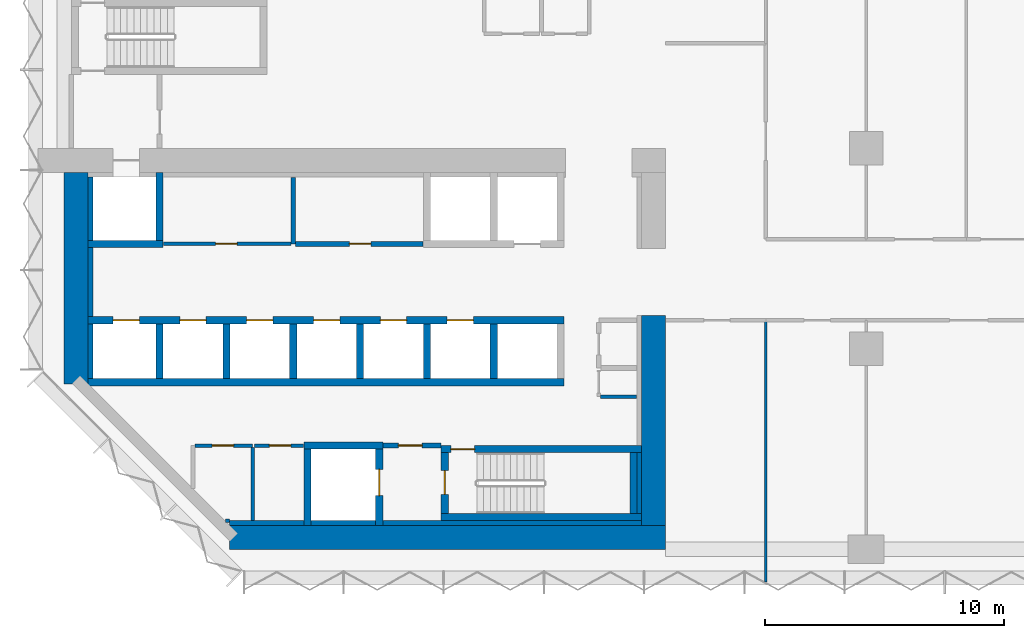
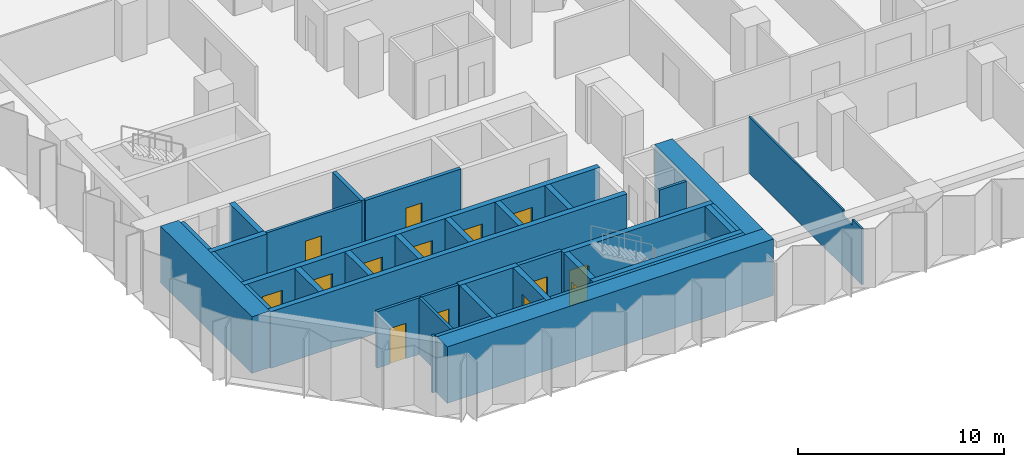
# One storey, part 7 of 15: 37 walls, 14 doors, 14 openings.
"""IFC4 building model written with IfcOpenShell, lengths in metres."""

from ifc_helpers import new_model, si_unit, direction, frame, frame_2d, origin, place, context, subcontext, project, spatial, polyline, rectangle, outline, extrude, material, layer, layer_set, type_object, element, fill, save


model = new_model("IFC4")

# Units and contexts
model_context = context("Model", 3, precision=1e-05, world=origin(), true_north=direction((0.0, 1.0)))
body_context = subcontext(model_context, "Body", "Model", "MODEL_VIEW")
ifc_project = project(units=[si_unit("LENGTHUNIT", "METRE"), si_unit("AREAUNIT", "SQUARE_METRE"), si_unit("VOLUMEUNIT", "CUBIC_METRE"), si_unit("PLANEANGLEUNIT", "RADIAN"), si_unit("MASSUNIT", "GRAM", prefix="KILO")], contexts=[model_context])

# Site, building, storey
site_placement = place(None, origin())
site = spatial("IfcSite", under=ifc_project, at=site_placement, CompositionType="ELEMENT")
building_placement = place(site_placement, origin())
building = spatial("IfcBuilding", under=site, at=building_placement, Name="Brevane Broadcast Tower", CompositionType="ELEMENT")
storey_placement = place(building_placement, frame((0.0, 0.0, 58.10009765625)))
storey = spatial("IfcBuildingStorey", under=building, at=storey_placement, Name="L12", CompositionType="ELEMENT", Elevation=58.10009765625)

# Walls
ifc_material_1 = material(Name="Concrete C32/40", Category="concrete")
ifc_layer_1 = layer(ifc_material_1, 0.199951171875)
ifc_layer_set_1 = layer_set([ifc_layer_1], Name="Core chase wall 200 mm")
wall_type_1 = type_object("IfcWallType", Name="Core chase wall 200 mm", PredefinedType="PARTITIONING", material=ifc_layer_set_1)
wall_1_placement = place(storey_placement, frame((1.10009765625, 7.14990234375, 0.0), z_axis=(0.0, 0.0, 1.0), x_axis=(0.0, 1.0, 0.0)))
element("IfcWall", 1, at=wall_1_placement, inside=storey, type_object=wall_type_1, Name="L12 chase wall LW-2-1", PredefinedType="PARTITIONING", context=body_context, shape_type="SweptSolid", body=[
    extrude(rectangle(XDim=2.300048828125, YDim=0.199951171875, at=frame_2d((1.14990234375, 0.0))), origin(), (0.0, 0.0, 1.0), 3.349853515625),
])
wall_2_placement = place(storey_placement, frame((1.10009765625, 9.75, 0.0), z_axis=(0.0, 0.0, 1.0), x_axis=(0.0, 1.0, 0.0)))
element("IfcWall", 2, at=wall_2_placement, inside=storey, type_object=wall_type_1, Name="L12 chase wall LW-2-2-1", PredefinedType="PARTITIONING", context=body_context, shape_type="SweptSolid", body=[
    extrude(rectangle(XDim=2.89990234375, YDim=0.199951171875, at=frame_2d((1.449951171875, 0.0))), origin(), (0.0, 0.0, 1.0), 3.349853515625),
])
wall_3_placement = place(storey_placement, frame((1.10009765625, 12.949951171875, 0.0), z_axis=(0.0, 0.0, 1.0), x_axis=(0.0, 1.0, 0.0)))
element("IfcWall", 3, at=wall_3_placement, inside=storey, type_object=wall_type_1, Name="L12 chase wall LW-2-2-2", PredefinedType="PARTITIONING", context=body_context, shape_type="SweptSolid", body=[
    extrude(rectangle(XDim=2.650146484375, YDim=0.199951171875, at=frame_2d((1.3251953125, 0.0))), origin(), (0.0, 0.0, 1.0), 3.349853515625),
])
wall_4_placement = place(storey_placement, frame((6.936279296875, 1.10009765625, 0.0), z_axis=(0.0, 0.0, 1.0), x_axis=(1.0, 0.0, 0.0)))
element("IfcWall", 4, at=wall_4_placement, inside=storey, type_object=wall_type_1, Name="L12 chase wall LS-1", PredefinedType="PARTITIONING", context=body_context, shape_type="SweptSolid", body=[
    extrude(rectangle(XDim=3.11376953125, YDim=0.199951171875, at=frame_2d((1.556884765625, 0.0))), origin(), (0.0, 0.0, 1.0), 3.349853515625),
])
wall_5_placement = place(storey_placement, frame((10.35009765625, 1.10009765625, 0.0), z_axis=(0.0, 0.0, 1.0), x_axis=(1.0, 0.0, 0.0)))
element("IfcWall", 5, at=wall_5_placement, inside=storey, type_object=wall_type_1, Name="L12 chase wall LS-2-1", PredefinedType="PARTITIONING", context=body_context, shape_type="SweptSolid", body=[
    extrude(rectangle(XDim=2.699951171875, YDim=0.199951171875, at=frame_2d((1.35009765625, 0.0))), origin(), (0.0, 0.0, 1.0), 3.349853515625),
])
wall_6_placement = place(storey_placement, frame((13.35009765625, 1.10009765625, 0.0), z_axis=(0.0, 0.0, 1.0), x_axis=(1.0, 0.0, 0.0)))
element("IfcWall", 6, at=wall_6_placement, inside=storey, type_object=wall_type_1, Name="L12 chase wall LS-2-2", PredefinedType="PARTITIONING", context=body_context, shape_type="SweptSolid", body=[
    extrude(rectangle(XDim=10.849853515625, YDim=0.199951171875, at=frame_2d((5.4248046875, 0.0))), origin(), (0.0, 0.0, 1.0), 3.349853515625),
])
wall_7_placement = place(storey_placement, frame((24.10009765625, 1.5, 0.0), z_axis=(0.0, 0.0, 1.0), x_axis=(0.0, 1.0, 0.0)))
element("IfcWall", 7, at=wall_7_placement, inside=storey, type_object=wall_type_1, Name="L12 chase wall LE1-2-1", PredefinedType="PARTITIONING", context=body_context, shape_type="SweptSolid", body=[
    extrude(rectangle(XDim=2.550048828125, YDim=0.199951171875, at=frame_2d((1.27490234375, 0.0))), origin(), (0.0, 0.0, 1.0), 3.349853515625),
])

# Wall, opening, door
ifc_material_2 = material(Name="Gypsum board on steel studs", Category="steel")
ifc_layer_2 = layer(ifc_material_2, 0.14990234375)
ifc_layer_set_2 = layer_set([ifc_layer_2], Name="Core fire partition 150 mm")
wall_type_2 = type_object("IfcWallType", Name="Core fire partition 150 mm", PredefinedType="PARTITIONING", material=ifc_layer_set_2)
wall_8_placement = place(storey_placement, frame((4.162109375, 12.800048828125, 0.0), z_axis=(0.0, 0.0, 1.0), x_axis=(1.0, 0.0, 0.0)))
wall_8 = element("IfcWall", 8, at=wall_8_placement, inside=storey, type_object=wall_type_2, Name="L12 partition wall P09", PredefinedType="PARTITIONING", context=body_context, shape_type="SweptSolid", body=[
    extrude(rectangle(XDim=5.337890625, YDim=0.14990234375, at=frame_2d((2.6689453125, 0.0))), origin(), (0.0, 0.0, 1.0), 3.349853515625),
])
opening_1_placement = place(wall_8_placement, frame((2.18798828125, 0.0, 0.0)))
opening_1 = element("IfcOpeningElement", 9, at=opening_1_placement, cuts=wall_8, Name="Opening L12-K21", PredefinedType="OPENING", context=body_context, shape_type="SweptSolid", body=[
    extrude(rectangle(XDim=0.89990234375, YDim=2.10009765625, at=frame_2d((0.449951171875, 1.050048828125))), frame((0.0, 0.0849609375, 0.0), z_axis=(0.0, -1.0, 0.0), x_axis=(1.0, 0.0, 0.0)), (0.0, 0.0, 1.0), 0.169921875),
])
ifc_material_3 = material(Name="Steel", Category="steel")
door_type_1 = type_object("IfcDoorType", Name="Service room door 900 x 2100", OperationType="SINGLE_SWING_LEFT", PredefinedType="DOOR", material=ifc_material_3)
door_1_placement = place(opening_1_placement, origin())
door_1 = element("IfcDoor", 10, at=door_1_placement, inside=storey, type_object=door_type_1, Name="Door L12-K21", OperationType="SINGLE_SWING_RIGHT", OverallHeight=2.10009765625, OverallWidth=0.89990234375, PredefinedType="DOOR", context=body_context, shape_type="SweptSolid", body=[
    extrude(rectangle(XDim=0.89990234375, YDim=2.10009765625, at=frame_2d((0.449951171875, 1.050048828125))), frame((0.0, 0.02490234375, 0.0), z_axis=(0.0, -1.0, 0.0), x_axis=(1.0, 0.0, 0.0)), (0.0, 0.0, 1.0), 0.050048828125),
])
fill(opening_1, door_1)

wall_9_placement = place(storey_placement, frame((5.47509765625, 4.35009765625, 0.0), z_axis=(0.0, 0.0, 1.0), x_axis=(1.0, 0.0, 0.0)))
wall_9 = element("IfcWall", 11, at=wall_9_placement, inside=storey, type_object=wall_type_2, Name="L12 partition wall P11", PredefinedType="PARTITIONING", context=body_context, shape_type="SweptSolid", body=[
    extrude(rectangle(XDim=2.4248046875, YDim=0.14990234375, at=frame_2d((1.21240234375, 0.0))), origin(), (0.0, 0.0, 1.0), 3.349853515625),
])
opening_2_placement = place(wall_9_placement, frame((0.72509765625, 0.0, 0.0)))
opening_2 = element("IfcOpeningElement", 12, at=opening_2_placement, cuts=wall_9, Name="Opening L12-K16", PredefinedType="OPENING", context=body_context, shape_type="SweptSolid", body=[
    extrude(rectangle(XDim=0.89990234375, YDim=2.10009765625, at=frame_2d((0.449951171875, 1.050048828125))), frame((0.0, 0.0849609375, 0.0), z_axis=(0.0, -1.0, 0.0), x_axis=(1.0, 0.0, 0.0)), (0.0, 0.0, 1.0), 0.169921875),
])
ifc_material_4 = material(Name="Timber", Category="wood")
door_type_2 = type_object("IfcDoorType", Name="Toilet door 900 x 2100", OperationType="SINGLE_SWING_LEFT", PredefinedType="DOOR", material=ifc_material_4)
door_2_placement = place(opening_2_placement, origin())
door_2 = element("IfcDoor", 13, at=door_2_placement, inside=storey, type_object=door_type_2, Name="Door L12-K16", OperationType="SINGLE_SWING_LEFT", OverallHeight=2.10009765625, OverallWidth=0.89990234375, PredefinedType="DOOR", context=body_context, shape_type="SweptSolid", body=[
    extrude(rectangle(XDim=0.89990234375, YDim=2.10009765625, at=frame_2d((0.449951171875, 1.050048828125))), frame((0.0, 0.02490234375, 0.0), z_axis=(0.0, -1.0, 0.0), x_axis=(1.0, 0.0, 0.0)), (0.0, 0.0, 1.0), 0.050048828125),
])
fill(opening_2, door_2)

# Walls
wall_10_placement = place(storey_placement, frame((7.89990234375, 4.27490234375, 0.0), z_axis=(0.0, 0.0, 1.0), x_axis=(0.0, -1.0, 0.0)))
element("IfcWall", 14, at=wall_10_placement, inside=storey, type_object=wall_type_2, Name="L12 partition wall P12", PredefinedType="PARTITIONING", context=body_context, shape_type="SweptSolid", body=[
    extrude(rectangle(XDim=3.06298828125, YDim=0.14990234375, at=frame_2d((1.531494140625, 0.0))), origin(), (0.0, 0.0, 1.0), 3.349853515625),
])
wall_11_placement = place(storey_placement, frame((6.92431640625, 1.199951171875, 0.0), z_axis=(0.0, 0.0, 1.0), x_axis=(-1.0, 0.0, 0.0)))
element("IfcWall", 15, at=wall_11_placement, inside=storey, type_object=wall_type_2, Name="L12 partition wall P13", PredefinedType="PARTITIONING", context=body_context, shape_type="SweptSolid", body=[
    extrude(rectangle(XDim=0.1708984375, YDim=0.14990234375, at=frame_2d((0.08544921875, 0.0))), origin(), (0.0, 0.0, 1.0), 3.349853515625),
])

# Wall, opening, door
wall_12_placement = place(storey_placement, frame((10.0380859375, 4.35009765625, 0.0), z_axis=(0.0, 0.0, 1.0), x_axis=(-1.0, 0.0, 0.0)))
wall_12 = element("IfcWall", 16, at=wall_12_placement, inside=storey, type_object=wall_type_2, Name="L12 partition wall P14", PredefinedType="PARTITIONING", context=body_context, shape_type="SweptSolid", body=[
    extrude(rectangle(XDim=2.06298828125, YDim=0.14990234375, at=frame_2d((1.031494140625, 0.0))), origin(), (0.0, 0.0, 1.0), 3.349853515625),
])
opening_3_placement = place(wall_12_placement, frame((0.5380859375, 0.0, 0.0)))
opening_3 = element("IfcOpeningElement", 17, at=opening_3_placement, cuts=wall_12, Name="Opening L12-K17", PredefinedType="OPENING", context=body_context, shape_type="SweptSolid", body=[
    extrude(rectangle(XDim=0.89990234375, YDim=2.10009765625, at=frame_2d((0.449951171875, 1.050048828125))), frame((0.0, 0.0849609375, 0.0), z_axis=(0.0, -1.0, 0.0), x_axis=(1.0, 0.0, 0.0)), (0.0, 0.0, 1.0), 0.169921875),
])
door_3_placement = place(opening_3_placement, origin())
door_3 = element("IfcDoor", 18, at=door_3_placement, inside=storey, type_object=door_type_2, Name="Door L12-K17", OperationType="SINGLE_SWING_RIGHT", OverallHeight=2.10009765625, OverallWidth=0.89990234375, PredefinedType="DOOR", context=body_context, shape_type="SweptSolid", body=[
    extrude(rectangle(XDim=0.89990234375, YDim=2.10009765625, at=frame_2d((0.449951171875, 1.050048828125))), frame((0.0, 0.02490234375, 0.0), z_axis=(0.0, -1.0, 0.0), x_axis=(1.0, 0.0, 0.0)), (0.0, 0.0, 1.0), 0.050048828125),
])
fill(opening_3, door_3)

# Wall
wall_13_placement = place(storey_placement, frame((22.47509765625, 6.39990234375, 0.0), z_axis=(0.0, 0.0, 1.0), x_axis=(1.0, 0.0, 0.0)))
element("IfcWall", 19, at=wall_13_placement, inside=storey, type_object=wall_type_2, Name="L12 partition wall P23", PredefinedType="PARTITIONING", context=body_context, shape_type="SweptSolid", body=[
    extrude(rectangle(XDim=1.512939453125, YDim=0.14990234375, at=frame_2d((0.75634765625, 0.0))), origin(), (0.0, 0.0, 1.0), 3.349853515625),
])

# Wall, opening, door
ifc_layer_3 = layer(ifc_material_2, 0.199951171875)
ifc_layer_set_3 = layer_set([ifc_layer_3], Name="Core fire partition 200 mm")
wall_type_3 = type_object("IfcWallType", Name="Core fire partition 200 mm", PredefinedType="PARTITIONING", material=ifc_layer_set_3)
wall_14_placement = place(storey_placement, frame((13.362060546875, 4.35009765625, 0.0), z_axis=(0.0, 0.0, 1.0), x_axis=(1.0, 0.0, 0.0)))
wall_14 = element("IfcWall", 20, at=wall_14_placement, inside=storey, type_object=wall_type_3, Name="L12 partition wall P03", PredefinedType="PARTITIONING", context=body_context, shape_type="SweptSolid", body=[
    extrude(rectangle(XDim=2.426025390625, YDim=0.199951171875, at=frame_2d((1.212890625, 0.0))), origin(), (0.0, 0.0, 1.0), 3.349853515625),
])
opening_4_placement = place(wall_14_placement, frame((0.637939453125, 0.0, 0.0)))
opening_4 = element("IfcOpeningElement", 21, at=opening_4_placement, cuts=wall_14, Name="Opening L12-K18", PredefinedType="OPENING", context=body_context, shape_type="SweptSolid", body=[
    extrude(rectangle(XDim=1.0, YDim=2.10009765625, at=frame_2d((0.5, 1.050048828125))), frame((0.0, 0.10986328125, 0.0), z_axis=(0.0, -1.0, 0.0), x_axis=(1.0, 0.0, 0.0)), (0.0, 0.0, 1.0), 0.219970703125),
])
door_type_3 = type_object("IfcDoorType", Name="Stair door 1000 x 2100", OperationType="SINGLE_SWING_LEFT", PredefinedType="DOOR", material=ifc_material_3)
door_4_placement = place(opening_4_placement, origin())
door_4 = element("IfcDoor", 22, at=door_4_placement, inside=storey, type_object=door_type_3, Name="Door L12-K18", OperationType="SINGLE_SWING_LEFT", OverallHeight=2.10009765625, OverallWidth=1.0, PredefinedType="DOOR", context=body_context, shape_type="SweptSolid", body=[
    extrude(rectangle(XDim=1.0, YDim=2.10009765625, at=frame_2d((0.5, 1.050048828125))), frame((0.0, 0.02490234375, 0.0), z_axis=(0.0, -1.0, 0.0), x_axis=(1.0, 0.0, 0.0)), (0.0, 0.0, 1.0), 0.050048828125),
])
fill(opening_4, door_4)

# Wall
wall_15_placement = place(storey_placement, frame((9.60009765625, 15.587890625, 0.0), z_axis=(0.0, 0.0, 1.0), x_axis=(0.0, -1.0, 0.0)))
element("IfcWall", 23, at=wall_15_placement, inside=storey, type_object=wall_type_3, Name="L12 partition wall P04", PredefinedType="PARTITIONING", context=body_context, shape_type="SweptSolid", body=[
    extrude(rectangle(XDim=2.787841796875, YDim=0.199951171875, at=frame_2d((1.39404296875, 0.0))), origin(), (0.0, 0.0, 1.0), 3.349853515625),
])

# Wall, opening, door
wall_16_placement = place(storey_placement, frame((9.699951171875, 12.800048828125, 0.0), z_axis=(0.0, 0.0, 1.0), x_axis=(1.0, 0.0, 0.0)))
wall_16 = element("IfcWall", 24, at=wall_16_placement, inside=storey, type_object=wall_type_3, Name="L12 partition wall P05", PredefinedType="PARTITIONING", context=body_context, shape_type="SweptSolid", body=[
    extrude(rectangle(XDim=5.338134765625, YDim=0.199951171875, at=frame_2d((2.6689453125, 0.0))), origin(), (0.0, 0.0, 1.0), 3.349853515625),
])
opening_5_placement = place(wall_16_placement, frame((2.25, 0.0, 0.0)))
opening_5 = element("IfcOpeningElement", 25, at=opening_5_placement, cuts=wall_16, Name="Opening L12-K22", PredefinedType="OPENING", context=body_context, shape_type="SweptSolid", body=[
    extrude(rectangle(XDim=0.89990234375, YDim=2.10009765625, at=frame_2d((0.449951171875, 1.050048828125))), frame((0.0, 0.10986328125, 0.0), z_axis=(0.0, -1.0, 0.0), x_axis=(1.0, 0.0, 0.0)), (0.0, 0.0, 1.0), 0.219970703125),
])
door_5_placement = place(opening_5_placement, origin())
door_5 = element("IfcDoor", 26, at=door_5_placement, inside=storey, type_object=door_type_1, Name="Door L12-K22", OperationType="SINGLE_SWING_LEFT", OverallHeight=2.10009765625, OverallWidth=0.89990234375, PredefinedType="DOOR", context=body_context, shape_type="SweptSolid", body=[
    extrude(rectangle(XDim=0.89990234375, YDim=2.10009765625, at=frame_2d((0.449951171875, 1.050048828125))), frame((0.0, 0.02490234375, 0.0), z_axis=(0.0, -1.0, 0.0), x_axis=(1.0, 0.0, 0.0)), (0.0, 0.0, 1.0), 0.050048828125),
])
fill(opening_5, door_5)

# Walls
ifc_material_5 = material(Name="Concrete C80/95", Category="concrete")
ifc_layer_4 = layer(ifc_material_5, 1.0)
ifc_layer_set_4 = layer_set([ifc_layer_4], Name="Core wall 1000 mm C80/95")
wall_type_4 = type_object("IfcWallType", Name="Core wall 1000 mm C80/95", PredefinedType="SHEAR", material=ifc_layer_set_4)
wall_17_placement = place(storey_placement, frame((6.936279296875, 0.5, 0.0), z_axis=(0.0, 0.0, 1.0), x_axis=(1.0, 0.0, 0.0)))
element("IfcWall", 27, at=wall_17_placement, inside=storey, type_object=wall_type_4, Name="L12 outer wall WS", PredefinedType="SHEAR", context=body_context, shape_type="SweptSolid", body=[
    extrude(rectangle(XDim=18.263671875, YDim=1.0, at=frame_2d((9.1318359375, 0.0))), origin(), (0.0, 0.0, 1.0), 3.349853515625),
])
wall_18_placement = place(storey_placement, frame((0.5, 6.936279296875, 0.0), z_axis=(0.0, 0.0, 1.0), x_axis=(0.0, 1.0, 0.0)))
element("IfcWall", 28, at=wall_18_placement, inside=storey, type_object=wall_type_4, Name="L12 outer wall WW", PredefinedType="SHEAR", context=body_context, shape_type="SweptSolid", body=[
    extrude(rectangle(XDim=8.86376953125, YDim=1.0, at=frame_2d((4.431884765625, 0.0))), origin(), (0.0, 0.0, 1.0), 3.349853515625),
])
wall_19_placement = place(storey_placement, frame((24.699951171875, 1.0, 0.0), z_axis=(0.0, 0.0, 1.0), x_axis=(0.0, 1.0, 0.0)))
element("IfcWall", 29, at=wall_19_placement, inside=storey, type_object=wall_type_4, Name="L12 outer wall WE1", PredefinedType="SHEAR", context=body_context, shape_type="SweptSolid", body=[
    extrude(rectangle(XDim=8.800048828125, YDim=1.0, at=frame_2d((4.39990234375, 0.0))), origin(), (0.0, 0.0, 1.0), 3.349853515625),
])
ifc_layer_5 = layer(ifc_material_5, 0.300048828125)
ifc_layer_set_5 = layer_set([ifc_layer_5], Name="Core wall 300 mm C80/95")
wall_type_5 = type_object("IfcWallType", Name="Core wall 300 mm C80/95", PredefinedType="SHEAR", material=ifc_layer_set_5)
wall_20_placement = place(storey_placement, frame((1.0, 7.0, 0.0), z_axis=(0.0, 0.0, 1.0), x_axis=(1.0, 0.0, 0.0)))
element("IfcWall", 30, at=wall_20_placement, inside=storey, type_object=wall_type_5, Name="L12 shaft wall SH-S012-back", PredefinedType="SHEAR", context=body_context, shape_type="SweptSolid", body=[
    extrude(rectangle(XDim=19.949951171875, YDim=0.300048828125, at=frame_2d((9.97509765625, 0.0))), origin(), (0.0, 0.0, 1.0), 3.349853515625),
])

# Wall, openings, doors
wall_21_placement = place(storey_placement, frame((1.0, 9.60009765625, 0.0), z_axis=(0.0, 0.0, 1.0), x_axis=(1.0, 0.0, 0.0)))
wall_21 = element("IfcWall", 31, at=wall_21_placement, inside=storey, type_object=wall_type_5, Name="L12 shaft wall SH-S012-front", PredefinedType="SHEAR", context=body_context, shape_type="SweptSolid", body=[
    extrude(rectangle(XDim=19.949951171875, YDim=0.300048828125, at=frame_2d((9.97509765625, 0.0))), origin(), (0.0, 0.0, 1.0), 3.349853515625),
])
opening_6_placement = place(wall_21_placement, frame((1.050048828125, 0.0, 0.0)))
opening_6 = element("IfcOpeningElement", 32, at=opening_6_placement, cuts=wall_21, Name="Opening LD", PredefinedType="OPENING", context=body_context, shape_type="SweptSolid", body=[
    extrude(rectangle(XDim=1.10009765625, YDim=2.300048828125, at=frame_2d((0.550048828125, 1.14990234375))), frame((0.0, 0.159912109375, 0.0), z_axis=(0.0, -1.0, 0.0), x_axis=(1.0, 0.0, 0.0)), (0.0, 0.0, 1.0), 0.320068359375),
])
opening_7_placement = place(wall_21_placement, frame((3.85009765625, 0.0, 0.0)))
opening_7 = element("IfcOpeningElement", 33, at=opening_7_placement, cuts=wall_21, Name="Opening LD", PredefinedType="OPENING", context=body_context, shape_type="SweptSolid", body=[
    extrude(rectangle(XDim=1.10009765625, YDim=2.300048828125, at=frame_2d((0.550048828125, 1.14990234375))), frame((0.0, 0.159912109375, 0.0), z_axis=(0.0, -1.0, 0.0), x_axis=(1.0, 0.0, 0.0)), (0.0, 0.0, 1.0), 0.320068359375),
])
opening_8_placement = place(wall_21_placement, frame((6.64990234375, 0.0, 0.0)))
opening_8 = element("IfcOpeningElement", 34, at=opening_8_placement, cuts=wall_21, Name="Opening LD", PredefinedType="OPENING", context=body_context, shape_type="SweptSolid", body=[
    extrude(rectangle(XDim=1.10009765625, YDim=2.300048828125, at=frame_2d((0.550048828125, 1.14990234375))), frame((0.0, 0.159912109375, 0.0), z_axis=(0.0, -1.0, 0.0), x_axis=(1.0, 0.0, 0.0)), (0.0, 0.0, 1.0), 0.320068359375),
])
opening_9_placement = place(wall_21_placement, frame((9.449951171875, 0.0, 0.0)))
opening_9 = element("IfcOpeningElement", 35, at=opening_9_placement, cuts=wall_21, Name="Opening LD", PredefinedType="OPENING", context=body_context, shape_type="SweptSolid", body=[
    extrude(rectangle(XDim=1.10009765625, YDim=2.300048828125, at=frame_2d((0.550048828125, 1.14990234375))), frame((0.0, 0.159912109375, 0.0), z_axis=(0.0, -1.0, 0.0), x_axis=(1.0, 0.0, 0.0)), (0.0, 0.0, 1.0), 0.320068359375),
])
opening_10_placement = place(wall_21_placement, frame((12.25, 0.0, 0.0)))
opening_10 = element("IfcOpeningElement", 36, at=opening_10_placement, cuts=wall_21, Name="Opening LD", PredefinedType="OPENING", context=body_context, shape_type="SweptSolid", body=[
    extrude(rectangle(XDim=1.10009765625, YDim=2.300048828125, at=frame_2d((0.550048828125, 1.14990234375))), frame((0.0, 0.159912109375, 0.0), z_axis=(0.0, -1.0, 0.0), x_axis=(1.0, 0.0, 0.0)), (0.0, 0.0, 1.0), 0.320068359375),
])
opening_11_placement = place(wall_21_placement, frame((15.050048828125, 0.0, 0.0)))
opening_11 = element("IfcOpeningElement", 37, at=opening_11_placement, cuts=wall_21, Name="Opening LD", PredefinedType="OPENING", context=body_context, shape_type="SweptSolid", body=[
    extrude(rectangle(XDim=1.10009765625, YDim=2.300048828125, at=frame_2d((0.550048828125, 1.14990234375))), frame((0.0, 0.159912109375, 0.0), z_axis=(0.0, -1.0, 0.0), x_axis=(1.0, 0.0, 0.0)), (0.0, 0.0, 1.0), 0.320068359375),
])
ifc_material_6 = material(Name="Stainless steel", Category="steel")
door_type_4 = type_object("IfcDoorType", Name="Lift landing door", OperationType="SLIDING_TO_LEFT", PredefinedType="DOOR", material=ifc_material_6)
door_6_placement = place(opening_6_placement, origin())
door_6 = element("IfcDoor", 38, at=door_6_placement, inside=storey, type_object=door_type_4, Name="Landing door LR1 L12", OperationType="SLIDING_TO_LEFT", OverallHeight=2.300048828125, OverallWidth=1.10009765625, PredefinedType="DOOR", context=body_context, shape_type="SweptSolid", body=[
    extrude(rectangle(XDim=1.10009765625, YDim=2.300048828125, at=frame_2d((0.550048828125, 1.14990234375))), frame((0.0, 0.02490234375, 0.0), z_axis=(0.0, -1.0, 0.0), x_axis=(1.0, 0.0, 0.0)), (0.0, 0.0, 1.0), 0.050048828125),
])
fill(opening_6, door_6)
door_7_placement = place(opening_7_placement, origin())
door_7 = element("IfcDoor", 39, at=door_7_placement, inside=storey, type_object=door_type_4, Name="Landing door LR2 L12", OperationType="SLIDING_TO_LEFT", OverallHeight=2.300048828125, OverallWidth=1.10009765625, PredefinedType="DOOR", context=body_context, shape_type="SweptSolid", body=[
    extrude(rectangle(XDim=1.10009765625, YDim=2.300048828125, at=frame_2d((0.550048828125, 1.14990234375))), frame((0.0, 0.02490234375, 0.0), z_axis=(0.0, -1.0, 0.0), x_axis=(1.0, 0.0, 0.0)), (0.0, 0.0, 1.0), 0.050048828125),
])
fill(opening_7, door_7)
door_8_placement = place(opening_8_placement, origin())
door_8 = element("IfcDoor", 40, at=door_8_placement, inside=storey, type_object=door_type_4, Name="Landing door LR3 L12", OperationType="SLIDING_TO_LEFT", OverallHeight=2.300048828125, OverallWidth=1.10009765625, PredefinedType="DOOR", context=body_context, shape_type="SweptSolid", body=[
    extrude(rectangle(XDim=1.10009765625, YDim=2.300048828125, at=frame_2d((0.550048828125, 1.14990234375))), frame((0.0, 0.02490234375, 0.0), z_axis=(0.0, -1.0, 0.0), x_axis=(1.0, 0.0, 0.0)), (0.0, 0.0, 1.0), 0.050048828125),
])
fill(opening_8, door_8)
door_9_placement = place(opening_9_placement, origin())
door_9 = element("IfcDoor", 41, at=door_9_placement, inside=storey, type_object=door_type_4, Name="Landing door LR4 L12", OperationType="SLIDING_TO_LEFT", OverallHeight=2.300048828125, OverallWidth=1.10009765625, PredefinedType="DOOR", context=body_context, shape_type="SweptSolid", body=[
    extrude(rectangle(XDim=1.10009765625, YDim=2.300048828125, at=frame_2d((0.550048828125, 1.14990234375))), frame((0.0, 0.02490234375, 0.0), z_axis=(0.0, -1.0, 0.0), x_axis=(1.0, 0.0, 0.0)), (0.0, 0.0, 1.0), 0.050048828125),
])
fill(opening_9, door_9)
door_10_placement = place(opening_10_placement, origin())
door_10 = element("IfcDoor", 42, at=door_10_placement, inside=storey, type_object=door_type_4, Name="Landing door LR5 L12", OperationType="SLIDING_TO_LEFT", OverallHeight=2.300048828125, OverallWidth=1.10009765625, PredefinedType="DOOR", context=body_context, shape_type="SweptSolid", body=[
    extrude(rectangle(XDim=1.10009765625, YDim=2.300048828125, at=frame_2d((0.550048828125, 1.14990234375))), frame((0.0, 0.02490234375, 0.0), z_axis=(0.0, -1.0, 0.0), x_axis=(1.0, 0.0, 0.0)), (0.0, 0.0, 1.0), 0.050048828125),
])
fill(opening_10, door_10)
door_11_placement = place(opening_11_placement, origin())
door_11 = element("IfcDoor", 43, at=door_11_placement, inside=storey, type_object=door_type_4, Name="Landing door LR6 L12", OperationType="SLIDING_TO_LEFT", OverallHeight=2.300048828125, OverallWidth=1.10009765625, PredefinedType="DOOR", context=body_context, shape_type="SweptSolid", body=[
    extrude(rectangle(XDim=1.10009765625, YDim=2.300048828125, at=frame_2d((0.550048828125, 1.14990234375))), frame((0.0, 0.02490234375, 0.0), z_axis=(0.0, -1.0, 0.0), x_axis=(1.0, 0.0, 0.0)), (0.0, 0.0, 1.0), 0.050048828125),
])
fill(opening_11, door_11)

# Walls
for number, where, z_axis, x_axis, name in (
    (44, (4.0, 7.14990234375, 0.0), (0.0, 0.0, 1.0), (0.0, 1.0, 0.0), "L12 shaft wall SH-S-P040"),
    (45, (6.800048828125, 7.14990234375, 0.0), (0.0, 0.0, 1.0), (0.0, 1.0, 0.0), "L12 shaft wall SH-S-P068"),
    (46, (9.60009765625, 7.14990234375, 0.0), (0.0, 0.0, 1.0), (0.0, 1.0, 0.0), "L12 shaft wall SH-S-P096"),
    (47, (12.39990234375, 7.14990234375, 0.0), (0.0, 0.0, 1.0), (0.0, 1.0, 0.0), "L12 shaft wall SH-S-P124"),
    (48, (15.199951171875, 7.14990234375, 0.0), (0.0, 0.0, 1.0), (0.0, 1.0, 0.0), "L12 shaft wall SH-S-P152"),
    (49, (18.0, 7.14990234375, 0.0), (0.0, 0.0, 1.0), (0.0, 1.0, 0.0), "L12 shaft wall SH-S-P180"),
):
    element("IfcWall", number, at=place(storey_placement, frame(where, z_axis=z_axis, x_axis=x_axis)), inside=storey, type_object=wall_type_5, Name=name, PredefinedType="SHEAR", context=body_context, shape_type="SweptSolid", body=[
        extrude(rectangle(XDim=2.300048828125, YDim=0.300048828125, at=frame_2d((1.14990234375, 0.0))), origin(), (0.0, 0.0, 1.0), 3.349853515625),
    ])
wall_22_placement = place(storey_placement, frame((1.0, 12.800048828125, 0.0), z_axis=(0.0, 0.0, 1.0), x_axis=(1.0, 0.0, 0.0)))
element("IfcWall", 50, at=wall_22_placement, inside=storey, type_object=wall_type_5, Name="L12 shaft wall SH-N012-front", PredefinedType="SHEAR", context=body_context, shape_type="SweptSolid", body=[
    extrude(rectangle(XDim=3.14990234375, YDim=0.300048828125, at=frame_2d((1.574951171875, 0.0))), origin(), (0.0, 0.0, 1.0), 3.349853515625),
])
wall_23_placement = place(storey_placement, frame((4.0, 12.949951171875, 0.0), z_axis=(0.0, 0.0, 1.0), x_axis=(0.0, 1.0, 0.0)))
element("IfcWall", 51, at=wall_23_placement, inside=storey, type_object=wall_type_5, Name="L12 shaft wall SH-N-P040", PredefinedType="SHEAR", context=body_context, shape_type="SweptSolid", body=[
    extrude(rectangle(XDim=2.85009765625, YDim=0.300048828125, at=frame_2d((1.425048828125, 0.0))), origin(), (0.0, 0.0, 1.0), 3.349853515625),
])
wall_24_placement = place(storey_placement, frame((10.199951171875, 1.0, 0.0), z_axis=(0.0, 0.0, 1.0), x_axis=(0.0, 1.0, 0.0)))
element("IfcWall", 52, at=wall_24_placement, inside=storey, type_object=wall_type_5, Name="L12 shaft wall FF2-W", PredefinedType="SHEAR", context=body_context, shape_type="SweptSolid", body=[
    extrude(rectangle(XDim=3.199951171875, YDim=0.300048828125, at=frame_2d((1.60009765625, 0.0))), origin(), (0.0, 0.0, 1.0), 3.349853515625),
])

# Wall, opening, door
wall_25_placement = place(storey_placement, frame((13.199951171875, 1.0, 0.0), z_axis=(0.0, 0.0, 1.0), x_axis=(0.0, 1.0, 0.0)))
wall_25 = element("IfcWall", 53, at=wall_25_placement, inside=storey, type_object=wall_type_5, Name="L12 shaft wall FF2-E", PredefinedType="SHEAR", context=body_context, shape_type="SweptSolid", body=[
    extrude(rectangle(XDim=3.199951171875, YDim=0.300048828125, at=frame_2d((1.60009765625, 0.0))), origin(), (0.0, 0.0, 1.0), 3.349853515625),
])
opening_12_placement = place(wall_25_placement, frame((1.25, 0.0, 0.0)))
opening_12 = element("IfcOpeningElement", 54, at=opening_12_placement, cuts=wall_25, Name="Opening LD", PredefinedType="OPENING", context=body_context, shape_type="SweptSolid", body=[
    extrude(rectangle(XDim=1.10009765625, YDim=2.300048828125, at=frame_2d((0.550048828125, 1.14990234375))), frame((0.0, 0.159912109375, 0.0), z_axis=(0.0, -1.0, 0.0), x_axis=(1.0, 0.0, 0.0)), (0.0, 0.0, 1.0), 0.320068359375),
])
door_12_placement = place(opening_12_placement, origin())
door_12 = element("IfcDoor", 55, at=door_12_placement, inside=storey, type_object=door_type_4, Name="Landing door FF2 L12", OperationType="SLIDING_TO_LEFT", OverallHeight=2.300048828125, OverallWidth=1.10009765625, PredefinedType="DOOR", context=body_context, shape_type="SweptSolid", body=[
    extrude(rectangle(XDim=1.10009765625, YDim=2.300048828125, at=frame_2d((0.550048828125, 1.14990234375))), frame((0.0, 0.02490234375, 0.0), z_axis=(0.0, -1.0, 0.0), x_axis=(1.0, 0.0, 0.0)), (0.0, 0.0, 1.0), 0.050048828125),
])
fill(opening_12, door_12)

# Walls
wall_26_placement = place(storey_placement, frame((10.050048828125, 4.35009765625, 0.0), z_axis=(0.0, 0.0, 1.0), x_axis=(1.0, 0.0, 0.0)))
element("IfcWall", 56, at=wall_26_placement, inside=storey, type_object=wall_type_5, Name="L12 shaft wall FF2-N", PredefinedType="SHEAR", context=body_context, shape_type="SweptSolid", body=[
    extrude(rectangle(XDim=3.300048828125, YDim=0.300048828125, at=frame_2d((1.64990234375, 0.0))), origin(), (0.0, 0.0, 1.0), 3.349853515625),
])
wall_27_placement = place(storey_placement, frame((15.800048828125, 1.35009765625, 0.0), z_axis=(0.0, 0.0, 1.0), x_axis=(1.0, 0.0, 0.0)))
element("IfcWall", 57, at=wall_27_placement, inside=storey, type_object=wall_type_5, Name="L12 stair wall ST-2-S", PredefinedType="SHEAR", context=body_context, shape_type="SweptSolid", body=[
    extrude(rectangle(XDim=8.39990234375, YDim=0.300048828125, at=frame_2d((4.199951171875, 0.0))), origin(), (0.0, 0.0, 1.0), 3.349853515625),
])

# Wall, opening, door
wall_28_placement = place(storey_placement, frame((15.800048828125, 4.199951171875, 0.0), z_axis=(0.0, 0.0, 1.0), x_axis=(1.0, 0.0, 0.0)))
wall_28 = element("IfcWall", 58, at=wall_28_placement, inside=storey, type_object=wall_type_5, Name="L12 stair wall ST-2-N", PredefinedType="SHEAR", context=body_context, shape_type="SweptSolid", body=[
    extrude(rectangle(XDim=8.39990234375, YDim=0.300048828125, at=frame_2d((4.199951171875, 0.0))), origin(), (0.0, 0.0, 1.0), 3.349853515625),
])
opening_13_placement = place(wall_28_placement, frame((0.39990234375, 0.0, 0.0)))
opening_13 = element("IfcOpeningElement", 59, at=opening_13_placement, cuts=wall_28, Name="Opening L12-K13", PredefinedType="OPENING", context=body_context, shape_type="SweptSolid", body=[
    extrude(rectangle(XDim=1.0, YDim=2.10009765625, at=frame_2d((0.5, 1.050048828125))), frame((0.0, 0.159912109375, 0.0), z_axis=(0.0, -1.0, 0.0), x_axis=(1.0, 0.0, 0.0)), (0.0, 0.0, 1.0), 0.320068359375),
])
door_13_placement = place(opening_13_placement, origin())
door_13 = element("IfcDoor", 60, at=door_13_placement, inside=storey, type_object=door_type_3, Name="Door L12-K13", OperationType="SINGLE_SWING_RIGHT", OverallHeight=2.10009765625, OverallWidth=1.0, PredefinedType="DOOR", context=body_context, shape_type="SweptSolid", body=[
    extrude(rectangle(XDim=1.0, YDim=2.10009765625, at=frame_2d((0.5, 1.050048828125))), frame((0.0, 0.02490234375, 0.0), z_axis=(0.0, -1.0, 0.0), x_axis=(1.0, 0.0, 0.0)), (0.0, 0.0, 1.0), 0.050048828125),
])
fill(opening_13, door_13)

wall_29_placement = place(storey_placement, frame((15.949951171875, 1.5, 0.0), z_axis=(0.0, 0.0, 1.0), x_axis=(0.0, 1.0, 0.0)))
wall_29 = element("IfcWall", 61, at=wall_29_placement, inside=storey, type_object=wall_type_5, Name="L12 stair wall ST-2-W", PredefinedType="SHEAR", context=body_context, shape_type="SweptSolid", body=[
    extrude(rectangle(XDim=2.550048828125, YDim=0.300048828125, at=frame_2d((1.27490234375, 0.0))), origin(), (0.0, 0.0, 1.0), 3.349853515625),
])
opening_14_placement = place(wall_29_placement, frame((0.800048828125, 0.0, 0.0)))
opening_14 = element("IfcOpeningElement", 62, at=opening_14_placement, cuts=wall_29, Name="Opening L12-K12", PredefinedType="OPENING", context=body_context, shape_type="SweptSolid", body=[
    extrude(rectangle(XDim=1.0, YDim=2.10009765625, at=frame_2d((0.5, 1.050048828125))), frame((0.0, 0.159912109375, 0.0), z_axis=(0.0, -1.0, 0.0), x_axis=(1.0, 0.0, 0.0)), (0.0, 0.0, 1.0), 0.320068359375),
])
door_14_placement = place(opening_14_placement, origin())
door_14 = element("IfcDoor", 63, at=door_14_placement, inside=storey, type_object=door_type_3, Name="Door L12-K12", OperationType="SINGLE_SWING_LEFT", OverallHeight=2.10009765625, OverallWidth=1.0, PredefinedType="DOOR", context=body_context, shape_type="SweptSolid", body=[
    extrude(rectangle(XDim=1.0, YDim=2.10009765625, at=frame_2d((0.5, 1.050048828125))), frame((0.0, 0.02490234375, 0.0), z_axis=(0.0, -1.0, 0.0), x_axis=(1.0, 0.0, 0.0)), (0.0, 0.0, 1.0), 0.050048828125),
])
fill(opening_14, door_14)

# Walls
wall_30_placement = place(storey_placement, frame((23.85009765625, 1.5, 0.0), z_axis=(0.0, 0.0, 1.0), x_axis=(0.0, 1.0, 0.0)))
element("IfcWall", 64, at=wall_30_placement, inside=storey, type_object=wall_type_5, Name="L12 stair wall ST-2-E", PredefinedType="SHEAR", context=body_context, shape_type="SweptSolid", body=[
    extrude(rectangle(XDim=2.550048828125, YDim=0.300048828125, at=frame_2d((1.27490234375, 0.0))), origin(), (0.0, 0.0, 1.0), 3.349853515625),
])
ifc_material_7 = material(Name="Gypsum board partition")
ifc_layer_6 = layer(ifc_material_7, 0.10009765625)
ifc_layer_set_6 = layer_set([ifc_layer_6], Name="PARTITION 100 STUD")
wall_type_6 = type_object("IfcWallType", Name="PARTITION 100 STUD", PredefinedType="PARTITIONING", material=ifc_layer_set_6)
wall_31_placement = place(storey_placement, frame((29.39990234375, 9.60009765625, 0.0), z_axis=(0.0, 0.0, 1.0), x_axis=(0.0, -1.0, 0.0)))
element("IfcWall", 65, at=wall_31_placement, inside=storey, type_object=wall_type_6, Name="Partition G03-020", PredefinedType="PARTITIONING", context=body_context, shape_type="SweptSolid", body=[
    extrude(outline(polyline([(0.0, 0.0), (10.965087890625, 0.0), (10.965087890625, 3.329833984375), (10.699951171875, 3.329833984375), (10.050048828125, 3.329833984375), (10.048095703125, 2.97998046875), (9.152099609375, 2.97998046875), (9.14990234375, 3.329833984375), (0.0, 3.329833984375), (0.0, 0.0)])), frame((0.0, 0.050048828125, 0.0), z_axis=(0.0, -1.0, 0.0), x_axis=(1.0, 0.0, 0.0)), (0.0, 0.0, 1.0), 0.10009765625),
])

save(model, "model.ifc")
